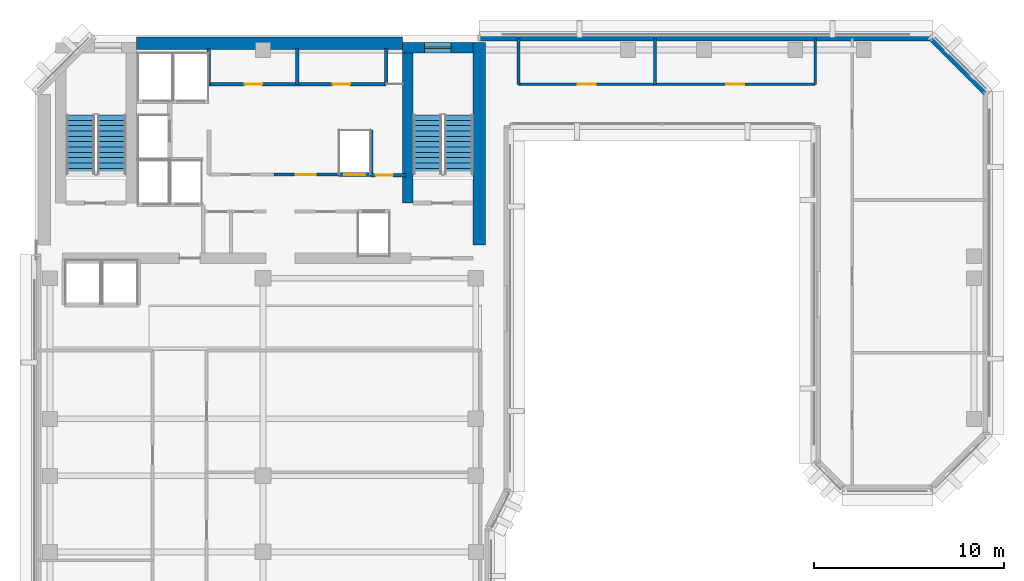
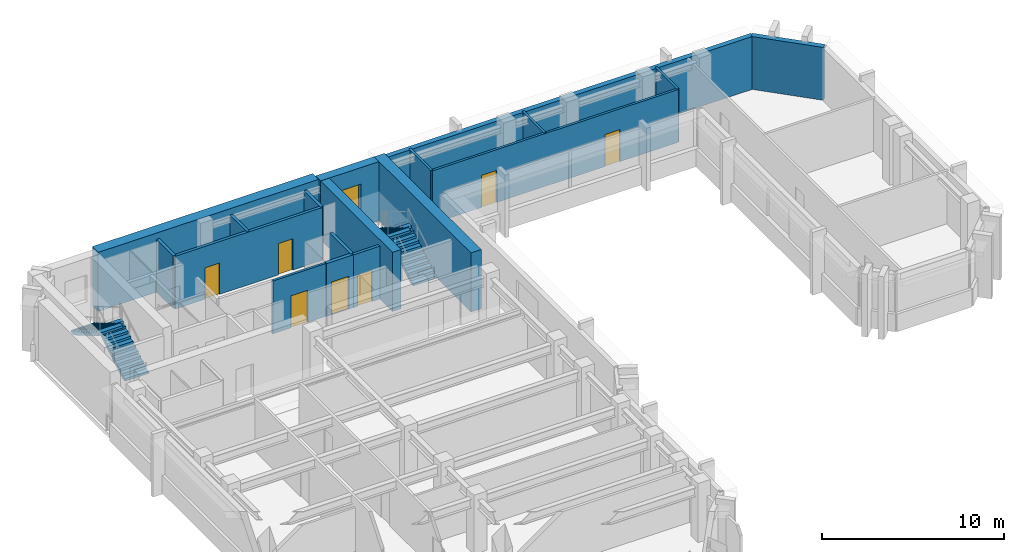
# One storey, part 7 of 11: 18 walls, 7 doors, 4 stair flights, 1 window, 8 openings, 2 elements without a shape of their own.
"""IFC4 building model written with IfcOpenShell, lengths in metres."""

from ifc_helpers import new_model, si_unit, direction, frame, frame_2d, origin, place, context, subcontext, project, spatial, polyline, rectangle, outline, extrude, material, layer, layer_set, type_object, element, fill, aggregate, save


model = new_model("IFC4")

# Units and contexts
model_context = context("Model", 3, precision=1e-05, world=origin(), true_north=direction((0.0, 1.0)))
body_context = subcontext(model_context, "Body", "Model", "MODEL_VIEW")
ifc_project = project(units=[si_unit("LENGTHUNIT", "METRE"), si_unit("AREAUNIT", "SQUARE_METRE"), si_unit("VOLUMEUNIT", "CUBIC_METRE"), si_unit("PLANEANGLEUNIT", "RADIAN"), si_unit("MASSUNIT", "GRAM", prefix="KILO")], contexts=[model_context])

# Site, building, storey
site_placement = place(None, origin())
site = spatial("IfcSite", under=ifc_project, at=site_placement, CompositionType="ELEMENT")
building_placement = place(site_placement, origin())
building = spatial("IfcBuilding", under=site, at=building_placement, Name="Kefirva Bronze Tower", CompositionType="ELEMENT")
storey_placement = place(building_placement, frame((0.0, 0.0, 247.5)))
storey = spatial("IfcBuildingStorey", under=building, at=storey_placement, Name="L60", CompositionType="ELEMENT", Elevation=247.5)

# Wall, opening, door
ifc_material_1 = material(Name="Gypsum acoustic partition")
ifc_layer_1 = layer(ifc_material_1, 0.14990234375, Name="Gypsum acoustic partition")
ifc_layer_set_1 = layer_set([ifc_layer_1], Name="Gypsum acoustic partition")
wall_type_1 = type_object("IfcWallType", Name="Executive Suite Partition 150mm", PredefinedType="PARTITIONING", material=ifc_layer_set_1)
wall_1_placement = place(storey_placement, frame((12.580078125, 38.64990234375, 0.0), z_axis=(0.0, 0.0, 1.0), x_axis=(1.0, 0.0, 0.0)))
wall_1 = element("IfcWall", 1, at=wall_1_placement, inside=storey, type_object=wall_type_1, Name="L60 Partition W-L60-RECMP2", PredefinedType="PARTITIONING", context=body_context, shape_type="SweptSolid", body=[
    extrude(rectangle(XDim=3.3798828125, YDim=0.14990234375, at=frame_2d((1.68994140625, 0.0))), origin(), (0.0, 0.0, 1.0), 3.5400390625),
])
opening_1_placement = place(wall_1_placement, frame((2.199951171875, 0.0, 0.0), z_axis=(0.0, 0.0, 1.0), x_axis=(-1.0, 0.0, 0.0)))
opening_1 = element("IfcOpeningElement", 2, at=opening_1_placement, cuts=wall_1, Name="Opening L60-D-RECMP2", PredefinedType="OPENING", context=body_context, shape_type="SweptSolid", body=[
    extrude(rectangle(XDim=1.050048828125, YDim=2.14990234375, at=frame_2d((0.52490234375, 1.074951171875))), frame((0.0, 0.0849609375, 0.0), z_axis=(0.0, -1.0, 0.0), x_axis=(1.0, 0.0, 0.0)), (0.0, 0.0, 1.0), 0.169921875),
])
ifc_material_2 = material(Name="Acoustic hardwood oak", Category="wood")
door_type_1 = type_object("IfcDoorType", Name="Executive & Boardroom Door 1050x2150", OperationType="NOTDEFINED", PredefinedType="DOOR", material=ifc_material_2)
door_1_placement = place(opening_1_placement, origin())
door_1 = element("IfcDoor", 3, at=door_1_placement, inside=storey, type_object=door_type_1, Name="Door L60-D-RECMP2", OperationType="SINGLE_SWING_LEFT", OverallHeight=2.14990234375, OverallWidth=1.050048828125, PredefinedType="DOOR", context=body_context, shape_type="SweptSolid", body=[
    extrude(rectangle(XDim=1.050048828125, YDim=2.14990234375, at=frame_2d((0.52490234375, 1.074951171875))), frame((0.0, 0.02490234375, 0.0), z_axis=(0.0, -1.0, 0.0), x_axis=(1.0, 0.0, 0.0)), (0.0, 0.0, 1.0), 0.050048828125),
])
fill(opening_1, door_1)

# Wall, openings, doors
wall_2_placement = place(storey_placement, frame((25.449951171875, 43.39990234375, 0.0), z_axis=(0.0, 0.0, 1.0), x_axis=(1.0, 0.0, 0.0)))
wall_2 = element("IfcWall", 4, at=wall_2_placement, inside=storey, type_object=wall_type_1, Name="L60 Partition W-L60-PBRGN", PredefinedType="PARTITIONING", context=body_context, shape_type="SweptSolid", body=[
    extrude(rectangle(XDim=15.60009765625, YDim=0.14990234375, at=frame_2d((7.800048828125, 0.0))), origin(), (0.0, 0.0, 1.0), 3.5400390625),
])
opening_2_placement = place(wall_2_placement, frame((3.113037109375, 0.0, 0.0)))
opening_2 = element("IfcOpeningElement", 5, at=opening_2_placement, cuts=wall_2, Name="Opening L60-D-PBN1", PredefinedType="OPENING", context=body_context, shape_type="SweptSolid", body=[
    extrude(rectangle(XDim=0.949951171875, YDim=2.14990234375, at=frame_2d((0.47509765625, 1.074951171875))), frame((0.0, 0.0849609375, 0.0), z_axis=(0.0, -1.0, 0.0), x_axis=(1.0, 0.0, 0.0)), (0.0, 0.0, 1.0), 0.169921875),
])
opening_3_placement = place(wall_2_placement, frame((10.9130859375, 0.0, 0.0)))
opening_3 = element("IfcOpeningElement", 6, at=opening_3_placement, cuts=wall_2, Name="Opening L60-D-PBN2", PredefinedType="OPENING", context=body_context, shape_type="SweptSolid", body=[
    extrude(rectangle(XDim=0.949951171875, YDim=2.14990234375, at=frame_2d((0.47509765625, 1.074951171875))), frame((0.0, 0.0849609375, 0.0), z_axis=(0.0, -1.0, 0.0), x_axis=(1.0, 0.0, 0.0)), (0.0, 0.0, 1.0), 0.169921875),
])
door_type_2 = type_object("IfcDoorType", Name="Office & Meeting Room Door 950x2150", OperationType="NOTDEFINED", PredefinedType="DOOR", material=ifc_material_2)
door_2_placement = place(opening_2_placement, origin())
door_2 = element("IfcDoor", 7, at=door_2_placement, inside=storey, type_object=door_type_2, Name="Door L60-D-PBN1", OperationType="SINGLE_SWING_LEFT", OverallHeight=2.14990234375, OverallWidth=0.949951171875, PredefinedType="DOOR", context=body_context, shape_type="SweptSolid", body=[
    extrude(rectangle(XDim=0.949951171875, YDim=2.14990234375, at=frame_2d((0.47509765625, 1.074951171875))), frame((0.0, 0.02490234375, 0.0), z_axis=(0.0, -1.0, 0.0), x_axis=(1.0, 0.0, 0.0)), (0.0, 0.0, 1.0), 0.050048828125),
])
fill(opening_2, door_2)
door_3_placement = place(opening_3_placement, origin())
door_3 = element("IfcDoor", 8, at=door_3_placement, inside=storey, type_object=door_type_2, Name="Door L60-D-PBN2", OperationType="SINGLE_SWING_RIGHT", OverallHeight=2.14990234375, OverallWidth=0.949951171875, PredefinedType="DOOR", context=body_context, shape_type="SweptSolid", body=[
    extrude(rectangle(XDim=0.949951171875, YDim=2.14990234375, at=frame_2d((0.47509765625, 1.074951171875))), frame((0.0, 0.02490234375, 0.0), z_axis=(0.0, -1.0, 0.0), x_axis=(1.0, 0.0, 0.0)), (0.0, 0.0, 1.0), 0.050048828125),
])
fill(opening_3, door_3)

# Walls
for number, where, z_axis, x_axis, name in (
    (9, (25.449951171875, 43.39990234375, 0.0), (0.0, 0.0, 1.0), (0.0, 1.0, 0.0), "L60 Partition W-L60-PBRGW"),
    (10, (41.050048828125, 43.39990234375, 0.0), (0.0, 0.0, 1.0), (0.0, 1.0, 0.0), "L60 Partition W-L60-PBRGE"),
    (11, (32.6259765625, 43.39990234375, 0.0), (0.0, 0.0, 1.0), (0.0, 1.0, 0.0), "L60 Partition W-L60-PBND1"),
):
    element("IfcWall", number, at=place(storey_placement, frame(where, z_axis=z_axis, x_axis=x_axis)), inside=storey, type_object=wall_type_1, Name=name, PredefinedType="PARTITIONING", context=body_context, shape_type="SweptSolid", body=[
        extrude(rectangle(XDim=2.41015625, YDim=0.14990234375, at=frame_2d((1.205078125, 0.0))), origin(), (0.0, 0.0, 1.0), 3.5400390625),
    ])
ifc_material_3 = material(Name="Gypsum fireboard shaftwall")
ifc_layer_2 = layer(ifc_material_3, 0.219970703125, Name="Gypsum fireboard shaftwall")
ifc_layer_set_2 = layer_set([ifc_layer_2], Name="Gypsum fireboard shaftwall")
wall_type_2 = type_object("IfcWallType", Name="Fire-Rated Shaft Enclosure Wall 220mm", PredefinedType="PARTITIONING", material=ifc_layer_set_2)
wall_3_placement = place(storey_placement, frame((17.679931640625, 38.64990234375, 0.0), z_axis=(0.0, 0.0, 1.0), x_axis=(0.0, 1.0, 0.0)))
element("IfcWall", 12, at=wall_3_placement, inside=storey, type_object=wall_type_2, Name="L60 Partition W-L60-HP2E", PredefinedType="PARTITIONING", context=body_context, shape_type="SweptSolid", body=[
    extrude(rectangle(XDim=2.35009765625, YDim=0.199951171875, at=frame_2d((1.175048828125, 0.0))), origin(), (0.0, 0.0, 1.0), 3.5400390625),
])

# Wall, opening, door
wall_4_placement = place(storey_placement, frame((15.97998046875, 38.64990234375, 0.0), z_axis=(0.0, 0.0, 1.0), x_axis=(1.0, 0.0, 0.0)))
wall_4 = element("IfcWall", 13, at=wall_4_placement, inside=storey, type_object=wall_type_2, Name="L60 Partition W-L60-HPN", PredefinedType="PARTITIONING", context=body_context, shape_type="SweptSolid", body=[
    extrude(rectangle(XDim=1.719970703125, YDim=0.219970703125, at=frame_2d((0.85986328125, 0.0))), origin(), (0.0, 0.0, 1.0), 3.5400390625),
])
opening_4_placement = place(wall_4_placement, frame((0.300048828125, 0.0, 0.0)))
opening_4 = element("IfcOpeningElement", 14, at=opening_4_placement, cuts=wall_4, Name="Opening L60-LD-HP2", PredefinedType="OPENING", context=body_context, shape_type="SweptSolid", body=[
    extrude(rectangle(XDim=1.10009765625, YDim=2.199951171875, at=frame_2d((0.550048828125, 1.10009765625))), frame((0.0, 0.1201171875, 0.0), z_axis=(0.0, -1.0, 0.0), x_axis=(1.0, 0.0, 0.0)), (0.0, 0.0, 1.0), 0.239990234375),
])
ifc_material_4 = material(Name="Stainless steel 316", Category="steel")
door_type_3 = type_object("IfcDoorType", Name="Passenger Lift Sliding Landing Door 1100x2200", OperationType="SLIDING_TO_LEFT", PredefinedType="DOOR", material=ifc_material_4)
door_4_placement = place(opening_4_placement, origin())
door_4 = element("IfcDoor", 15, at=door_4_placement, inside=storey, type_object=door_type_3, Name="Door L60-LD-HP2", OperationType="SLIDING_TO_LEFT", OverallHeight=2.199951171875, OverallWidth=1.10009765625, PredefinedType="DOOR", context=body_context, shape_type="SweptSolid", body=[
    extrude(rectangle(XDim=1.10009765625, YDim=2.199951171875, at=frame_2d((0.550048828125, 1.10009765625))), frame((0.0, 0.02490234375, 0.0), z_axis=(0.0, -1.0, 0.0), x_axis=(1.0, 0.0, 0.0)), (0.0, 0.0, 1.0), 0.050048828125),
])
fill(opening_4, door_4)

ifc_material_5 = material(Name="Gypsum fireboard barrier")
ifc_layer_3 = layer(ifc_material_5, 0.199951171875, Name="Gypsum fireboard barrier")
ifc_layer_set_3 = layer_set([ifc_layer_3], Name="Gypsum fireboard barrier")
wall_type_3 = type_object("IfcWallType", Name="Firefighting Lobby Barrier Wall 200mm", PredefinedType="PARTITIONING", material=ifc_layer_set_3)
wall_5_placement = place(storey_placement, frame((17.679931640625, 38.6201171875, 0.0), z_axis=(0.0, 0.0, 1.0), x_axis=(1.0, 0.0, 0.0)))
wall_5 = element("IfcWall", 16, at=wall_5_placement, inside=storey, type_object=wall_type_3, Name="L60 Partition W-L60-CPASS", PredefinedType="PARTITIONING", context=body_context, shape_type="SweptSolid", body=[
    extrude(rectangle(XDim=1.840087890625, YDim=0.179931640625, at=frame_2d((0.919921875, 0.0))), origin(), (0.0, 0.0, 1.0), 3.5400390625),
])
opening_5_placement = place(wall_5_placement, frame((0.239990234375, 0.0, 0.0)))
opening_5 = element("IfcOpeningElement", 17, at=opening_5_placement, cuts=wall_5, Name="Opening L60-D-CPAS", PredefinedType="OPENING", context=body_context, shape_type="SweptSolid", body=[
    extrude(rectangle(XDim=0.919921875, YDim=2.10009765625, at=frame_2d((0.4599609375, 1.050048828125))), frame((0.0, 0.10009765625, 0.0), z_axis=(0.0, -1.0, 0.0), x_axis=(1.0, 0.0, 0.0)), (0.0, 0.0, 1.0), 0.199951171875),
])
ifc_material_6 = material(Name="Moisture-resistant timber", Category="wood")
door_type_4 = type_object("IfcDoorType", Name="Accessible Sanitary & WC Door 920x2100", OperationType="NOTDEFINED", PredefinedType="DOOR", material=ifc_material_6)
door_5_placement = place(opening_5_placement, origin())
door_5 = element("IfcDoor", 18, at=door_5_placement, inside=storey, type_object=door_type_4, Name="Door L60-D-CPAS", OperationType="SINGLE_SWING_RIGHT", OverallHeight=2.10009765625, OverallWidth=0.919921875, PredefinedType="DOOR", context=body_context, shape_type="SweptSolid", body=[
    extrude(rectangle(XDim=0.919921875, YDim=2.10009765625, at=frame_2d((0.4599609375, 1.050048828125))), frame((0.0, 0.02490234375, 0.0), z_axis=(0.0, -1.0, 0.0), x_axis=(1.0, 0.0, 0.0)), (0.0, 0.0, 1.0), 0.050048828125),
])
fill(opening_5, door_5)

# Walls
ifc_material_7 = material(Name="Precast concrete C40/50", Category="concrete")
ifc_layer_4 = layer(ifc_material_7, 0.320068359375, Name="Precast concrete C40/50")
ifc_layer_set_4 = layer_set([ifc_layer_4], Name="Precast concrete C40/50")
wall_type_4 = type_object("IfcWallType", Name="Precast Insulated Exterior Wall 320mm", PredefinedType="SOLIDWALL", material=ifc_layer_set_4)
wall_6_placement = place(storey_placement, frame((50.048095703125, 42.92578125, 0.0), z_axis=(0.0, 0.0, 1.0), x_axis=(-0.707136318428, 0.707077242712, 0.0)))
element("IfcWall", 19, at=wall_6_placement, inside=storey, type_object=wall_type_4, Name="L60 Exterior Facade Wall 10", PredefinedType="SOLIDWALL", context=body_context, shape_type="SweptSolid", body=[
    extrude(rectangle(XDim=4.132568359375, YDim=0.320068359375, at=frame_2d((2.06640625, 0.0))), origin(), (0.0, 0.0, 1.0), 3.5400390625),
])
wall_7_placement = place(storey_placement, frame((47.14501953125, 45.840087890625, 0.0), z_axis=(0.0, 0.0, 1.0), x_axis=(-1.0, 0.0, 0.0)))
element("IfcWall", 20, at=wall_7_placement, inside=storey, type_object=wall_type_4, Name="L60 Exterior Facade Wall 11", PredefinedType="SOLIDWALL", context=body_context, shape_type="SweptSolid", body=[
    extrude(rectangle(XDim=23.739990234375, YDim=0.320068359375, at=frame_2d((11.8701171875, 0.0))), origin(), (0.0, 0.0, 1.0), 3.5400390625),
])

# Wall, opening, window
ifc_material_8 = material(Name="Concrete C50/60", Category="concrete")
ifc_layer_5 = layer(ifc_material_8, 0.550048828125, Name="Concrete C50/60")
ifc_layer_set_5 = layer_set([ifc_layer_5], Name="Concrete C50/60")
wall_type_5 = type_object("IfcWallType", Name="RC Rear Core Exterior Wall 550mm", PredefinedType="SHEAR", material=ifc_layer_set_5)
wall_8_placement = place(storey_placement, frame((19.35009765625, 45.320068359375, 0.0), z_axis=(0.0, 0.0, 1.0), x_axis=(1.0, 0.0, 0.0)))
wall_8 = element("IfcWall", 21, at=wall_8_placement, inside=storey, type_object=wall_type_5, Name="L60 Stair 2 North Shear Wall", PredefinedType="SHEAR", context=body_context, shape_type="SweptSolid", body=[
    extrude(rectangle(XDim=3.68994140625, YDim=0.550048828125, at=frame_2d((1.844970703125, 0.0))), origin(), (0.0, 0.0, 1.0), 3.9599609375),
])
opening_6_placement = place(wall_8_placement, frame((1.14990234375, 0.0, 1.050048828125)))
opening_6 = element("IfcOpeningElement", 22, at=opening_6_placement, cuts=wall_8, Name="Opening WN-03", PredefinedType="OPENING", context=body_context, shape_type="SweptSolid", body=[
    extrude(rectangle(XDim=1.39990234375, YDim=1.800048828125, at=frame_2d((0.699951171875, 0.89990234375))), frame((0.0, 0.28515625, 0.0), z_axis=(0.0, -1.0, 0.0), x_axis=(1.0, 0.0, 0.0)), (0.0, 0.0, 1.0), 0.570068359375),
])
ifc_material_9 = material(Name="Laminated low-E double glazing", Category="glass")
window_type = type_object("IfcWindowType", Name="Rear-Core Stair Daylight Window 1400x1800", PartitioningType="SINGLE_PANEL", PredefinedType="WINDOW", material=ifc_material_9)
window_placement = place(opening_6_placement, origin())
window = element("IfcWindow", 23, at=window_placement, inside=storey, type_object=window_type, Name="L60 Stair 2 Daylight Window", OverallHeight=1.800048828125, OverallWidth=1.39990234375, PartitioningType="SINGLE_PANEL", PredefinedType="WINDOW", context=body_context, shape_type="SweptSolid", body=[
    extrude(rectangle(XDim=1.39990234375, YDim=1.800048828125, at=frame_2d((0.699951171875, 0.89990234375))), frame((0.0, 0.030029296875, 0.0), z_axis=(0.0, -1.0, 0.0), x_axis=(1.0, 0.0, 0.0)), (0.0, 0.0, 1.0), 0.06005859375),
])
fill(opening_6, window)

# Walls
ifc_layer_6 = layer(ifc_material_8, 0.64990234375, Name="Concrete C50/60")
ifc_layer_set_6 = layer_set([ifc_layer_6], Name="Concrete C50/60")
wall_type_6 = type_object("IfcWallType", Name="RC Rear Core Exterior Wall 650mm", PredefinedType="SHEAR", material=ifc_layer_set_6)
wall_9_placement = place(storey_placement, frame((5.360107421875, 45.550048828125, 0.0), z_axis=(0.0, 0.0, 1.0), x_axis=(1.0, 0.0, 0.0)))
element("IfcWall", 24, at=wall_9_placement, inside=storey, type_object=wall_type_6, Name="L60 Rear Core North Shear Wall", PredefinedType="SHEAR", context=body_context, shape_type="SweptSolid", body=[
    extrude(rectangle(XDim=13.97998046875, YDim=0.64990234375, at=frame_2d((6.989990234375, 0.0))), origin(), (0.0, 0.0, 1.0), 3.9599609375),
])
ifc_layer_7 = layer(ifc_material_8, 0.550048828125, Name="Concrete C50/60")
ifc_layer_set_7 = layer_set([ifc_layer_7], Name="Concrete C50/60")
wall_type_7 = type_object("IfcWallType", Name="RC Rear Core Interior Wall 550mm", PredefinedType="SHEAR", material=ifc_layer_set_7)
wall_10_placement = place(storey_placement, frame((19.6201171875, 37.14990234375, 0.0), z_axis=(0.0, 0.0, 1.0), x_axis=(0.0, 1.0, 0.0)))
element("IfcWall", 25, at=wall_10_placement, inside=storey, type_object=wall_type_7, Name="L60 Stair 2 West Shear Wall", PredefinedType="SHEAR", context=body_context, shape_type="SweptSolid", body=[
    extrude(rectangle(XDim=7.89013671875, YDim=0.550048828125, at=frame_2d((3.945068359375, 0.0))), origin(), (0.0, 0.0, 1.0), 3.9599609375),
])
ifc_layer_8 = layer(ifc_material_8, 0.64990234375, Name="Concrete C50/60")
ifc_layer_set_8 = layer_set([ifc_layer_8], Name="Concrete C50/60")
wall_type_8 = type_object("IfcWallType", Name="RC Rear Core Interior Wall 650mm", PredefinedType="SHEAR", material=ifc_layer_set_8)
wall_11_placement = place(storey_placement, frame((23.375, 34.949951171875, 0.0), z_axis=(0.0, 0.0, 1.0), x_axis=(0.0, 1.0, 0.0)))
element("IfcWall", 26, at=wall_11_placement, inside=storey, type_object=wall_type_8, Name="L60 Rear Core East Shear Wall", PredefinedType="SHEAR", context=body_context, shape_type="SweptSolid", body=[
    extrude(rectangle(XDim=10.64013671875, YDim=0.64990234375, at=frame_2d((5.320068359375, 0.0))), origin(), (0.0, 0.0, 1.0), 3.9599609375),
])

# Wall, openings, doors
ifc_material_10 = material(Name="Moisture-resistant partition")
ifc_layer_9 = layer(ifc_material_10, 0.179931640625, Name="Moisture-resistant partition")
ifc_layer_set_9 = layer_set([ifc_layer_9], Name="Moisture-resistant partition")
wall_type_9 = type_object("IfcWallType", Name="Sanitary Plumbing Chase Wall 180mm", PredefinedType="PLUMBINGWALL", material=ifc_layer_set_9)
wall_12_placement = place(storey_placement, frame((9.14990234375, 43.39990234375, 0.0), z_axis=(0.0, 0.0, 1.0), x_axis=(1.0, 0.0, 0.0)))
wall_12 = element("IfcWall", 27, at=wall_12_placement, inside=storey, type_object=wall_type_9, Name="L60 Partition W-L60-SVCS", PredefinedType="PLUMBINGWALL", context=body_context, shape_type="SweptSolid", body=[
    extrude(rectangle(XDim=9.330078125, YDim=0.179931640625, at=frame_2d((4.6650390625, 0.0))), origin(), (0.0, 0.0, 1.0), 3.5400390625),
])
opening_7_placement = place(wall_12_placement, frame((1.8798828125, 0.0, 0.0)))
opening_7 = element("IfcOpeningElement", 28, at=opening_7_placement, cuts=wall_12, Name="Opening L60-D-CSVC1", PredefinedType="OPENING", context=body_context, shape_type="SweptSolid", body=[
    extrude(rectangle(XDim=0.919921875, YDim=2.10009765625, at=frame_2d((0.4599609375, 1.050048828125))), frame((0.0, 0.10009765625, 0.0), z_axis=(0.0, -1.0, 0.0), x_axis=(1.0, 0.0, 0.0)), (0.0, 0.0, 1.0), 0.199951171875),
])
opening_8_placement = place(wall_12_placement, frame((6.514892578125, 0.0, 0.0)))
opening_8 = element("IfcOpeningElement", 29, at=opening_8_placement, cuts=wall_12, Name="Opening L60-D-CSVC2", PredefinedType="OPENING", context=body_context, shape_type="SweptSolid", body=[
    extrude(rectangle(XDim=0.919921875, YDim=2.10009765625, at=frame_2d((0.4599609375, 1.050048828125))), frame((0.0, 0.10009765625, 0.0), z_axis=(0.0, -1.0, 0.0), x_axis=(1.0, 0.0, 0.0)), (0.0, 0.0, 1.0), 0.199951171875),
])
door_6_placement = place(opening_7_placement, origin())
door_6 = element("IfcDoor", 30, at=door_6_placement, inside=storey, type_object=door_type_4, Name="Door L60-D-CSVC1", OperationType="SINGLE_SWING_RIGHT", OverallHeight=2.10009765625, OverallWidth=0.919921875, PredefinedType="DOOR", context=body_context, shape_type="SweptSolid", body=[
    extrude(rectangle(XDim=0.919921875, YDim=2.10009765625, at=frame_2d((0.4599609375, 1.050048828125))), frame((0.0, 0.02490234375, 0.0), z_axis=(0.0, -1.0, 0.0), x_axis=(1.0, 0.0, 0.0)), (0.0, 0.0, 1.0), 0.050048828125),
])
fill(opening_7, door_6)
door_7_placement = place(opening_8_placement, origin())
door_7 = element("IfcDoor", 31, at=door_7_placement, inside=storey, type_object=door_type_4, Name="Door L60-D-CSVC2", OperationType="SINGLE_SWING_LEFT", OverallHeight=2.10009765625, OverallWidth=0.919921875, PredefinedType="DOOR", context=body_context, shape_type="SweptSolid", body=[
    extrude(rectangle(XDim=0.919921875, YDim=2.10009765625, at=frame_2d((0.4599609375, 1.050048828125))), frame((0.0, 0.02490234375, 0.0), z_axis=(0.0, -1.0, 0.0), x_axis=(1.0, 0.0, 0.0)), (0.0, 0.0, 1.0), 0.050048828125),
])
fill(opening_8, door_7)

# Walls
for number, where, z_axis, x_axis, name in (
    (32, (9.14990234375, 43.39990234375, 0.0), (0.0, 0.0, 1.0), (0.0, 1.0, 0.0), "L60 Partition W-L60-SVCW"),
    (33, (18.47998046875, 43.39990234375, 0.0), (0.0, 0.0, 1.0), (0.0, 1.0, 0.0), "L60 Partition W-L60-SVCE"),
    (34, (13.800048828125, 43.39990234375, 0.0), (0.0, 0.0, 1.0), (0.0, 1.0, 0.0), "L60 Partition W-L60-CSVD-1"),
):
    element("IfcWall", number, at=place(storey_placement, frame(where, z_axis=z_axis, x_axis=x_axis)), inside=storey, type_object=wall_type_9, Name=name, PredefinedType="PLUMBINGWALL", context=body_context, shape_type="SweptSolid", body=[
        extrude(rectangle(XDim=1.880126953125, YDim=0.179931640625, at=frame_2d((0.93994140625, 0.0))), origin(), (0.0, 0.0, 1.0), 3.5400390625),
    ])

# Stair, stair flights
ifc_material_11 = material(Name="Concrete C40/50", Category="concrete")
stair_type = type_object("IfcStairType", Name="RC Dogleg Protected Stair 24R", PredefinedType="HALF_TURN_STAIR", material=ifc_material_11)
stair_1_placement = place(storey_placement, origin())
stair_1 = element("IfcStair", 35, at=stair_1_placement, inside=storey, type_object=stair_type, Name="L60 Protected Exit Stair 1", PredefinedType="HALF_TURN_STAIR")
stair_flight_type = type_object("IfcStairFlightType", Name="RC Straight Stair Flight 24R", PredefinedType="STRAIGHT", material=ifc_material_11)
stair_flight_1_placement = place(storey_placement, frame((4.050048828125, 38.699951171875, 0.0), z_axis=(0.0, 0.0, 1.0), x_axis=(0.0, 1.0, 0.0)))
stair_flight_1 = element("IfcStairFlight", 36, at=stair_flight_1_placement, type_object=stair_flight_type, Name="ST-1 flight 1", NumberOfRisers=12, NumberOfTreads=11, PredefinedType="STRAIGHT", RiserHeight=0.165, TreadLength=0.28, context=body_context, shape_type="SweptSolid", body=[
    extrude(outline(polyline([(0.0, 0.0), (0.0, 0.1650390625), (0.280029296875, 0.1650390625), (0.280029296875, 0.330078125), (0.56005859375, 0.330078125), (0.56005859375, 0.4951171875), (0.840087890625, 0.4951171875), (0.840087890625, 0.659912109375), (1.1201171875, 0.659912109375), (1.1201171875, 0.824951171875), (1.39990234375, 0.824951171875), (1.39990234375, 0.989990234375), (1.679931640625, 0.989990234375), (1.679931640625, 1.155029296875), (1.9599609375, 1.155029296875), (1.9599609375, 1.320068359375), (2.239990234375, 1.320068359375), (2.239990234375, 1.485107421875), (2.52001953125, 1.485107421875), (2.52001953125, 1.64990234375), (2.800048828125, 1.64990234375), (2.800048828125, 1.81494140625), (3.080078125, 1.81494140625), (3.080078125, 1.97998046875), (3.080078125, 1.64111328125), (0.295166015625, 0.0), (0.0, 0.0)])), frame((0.0, 0.75, 0.0), z_axis=(0.0, -1.0, 0.0), x_axis=(1.0, 0.0, 0.0)), (0.0, 0.0, 1.0), 1.5),
])
stair_flight_2_placement = place(storey_placement, frame((2.39990234375, 41.780029296875, 1.97998046875), z_axis=(0.0, 0.0, 1.0), x_axis=(0.0, -1.0, 0.0)))
stair_flight_2 = element("IfcStairFlight", 37, at=stair_flight_2_placement, type_object=stair_flight_type, Name="ST-1 flight 2", NumberOfRisers=12, NumberOfTreads=11, PredefinedType="STRAIGHT", RiserHeight=0.165, TreadLength=0.28, context=body_context, shape_type="SweptSolid", body=[
    extrude(outline(polyline([(0.0, 0.0), (0.0, 0.1650390625), (0.280029296875, 0.1650390625), (0.280029296875, 0.330078125), (0.56005859375, 0.330078125), (0.56005859375, 0.4951171875), (0.840087890625, 0.4951171875), (0.840087890625, 0.659912109375), (1.1201171875, 0.659912109375), (1.1201171875, 0.824951171875), (1.39990234375, 0.824951171875), (1.39990234375, 0.989990234375), (1.679931640625, 0.989990234375), (1.679931640625, 1.155029296875), (1.9599609375, 1.155029296875), (1.9599609375, 1.320068359375), (2.239990234375, 1.320068359375), (2.239990234375, 1.485107421875), (2.52001953125, 1.485107421875), (2.52001953125, 1.64990234375), (2.800048828125, 1.64990234375), (2.800048828125, 1.81494140625), (3.080078125, 1.81494140625), (3.080078125, 1.97998046875), (3.080078125, 1.64111328125), (0.295166015625, 0.0), (0.0, 0.0)])), frame((0.0, 0.75, 0.0), z_axis=(0.0, -1.0, 0.0), x_axis=(1.0, 0.0, 0.0)), (0.0, 0.0, 1.0), 1.5),
])
aggregate(stair_1, [stair_flight_1, stair_flight_2])

stair_2_placement = place(storey_placement, origin())
stair_2 = element("IfcStair", 38, at=stair_2_placement, inside=storey, type_object=stair_type, Name="L60 Protected Exit Stair 2", PredefinedType="HALF_TURN_STAIR")
stair_flight_3_placement = place(storey_placement, frame((22.300048828125, 38.699951171875, 0.0), z_axis=(0.0, 0.0, 1.0), x_axis=(0.0, 1.0, 0.0)))
stair_flight_3 = element("IfcStairFlight", 39, at=stair_flight_3_placement, type_object=stair_flight_type, Name="ST-2 flight 1", NumberOfRisers=12, NumberOfTreads=11, PredefinedType="STRAIGHT", RiserHeight=0.165, TreadLength=0.28, context=body_context, shape_type="SweptSolid", body=[
    extrude(outline(polyline([(0.0, 0.0), (0.0, 0.1650390625), (0.280029296875, 0.1650390625), (0.280029296875, 0.330078125), (0.56005859375, 0.330078125), (0.56005859375, 0.4951171875), (0.840087890625, 0.4951171875), (0.840087890625, 0.659912109375), (1.1201171875, 0.659912109375), (1.1201171875, 0.824951171875), (1.39990234375, 0.824951171875), (1.39990234375, 0.989990234375), (1.679931640625, 0.989990234375), (1.679931640625, 1.155029296875), (1.9599609375, 1.155029296875), (1.9599609375, 1.320068359375), (2.239990234375, 1.320068359375), (2.239990234375, 1.485107421875), (2.52001953125, 1.485107421875), (2.52001953125, 1.64990234375), (2.800048828125, 1.64990234375), (2.800048828125, 1.81494140625), (3.080078125, 1.81494140625), (3.080078125, 1.97998046875), (3.080078125, 1.64111328125), (0.295166015625, 0.0), (0.0, 0.0)])), frame((0.0, 0.75, 0.0), z_axis=(0.0, -1.0, 0.0), x_axis=(1.0, 0.0, 0.0)), (0.0, 0.0, 1.0), 1.5),
])
stair_flight_4_placement = place(storey_placement, frame((20.64990234375, 41.780029296875, 1.97998046875), z_axis=(0.0, 0.0, 1.0), x_axis=(0.0, -1.0, 0.0)))
stair_flight_4 = element("IfcStairFlight", 40, at=stair_flight_4_placement, type_object=stair_flight_type, Name="ST-2 flight 2", NumberOfRisers=12, NumberOfTreads=11, PredefinedType="STRAIGHT", RiserHeight=0.165, TreadLength=0.28, context=body_context, shape_type="SweptSolid", body=[
    extrude(outline(polyline([(0.0, 0.0), (0.0, 0.1650390625), (0.280029296875, 0.1650390625), (0.280029296875, 0.330078125), (0.56005859375, 0.330078125), (0.56005859375, 0.4951171875), (0.840087890625, 0.4951171875), (0.840087890625, 0.659912109375), (1.1201171875, 0.659912109375), (1.1201171875, 0.824951171875), (1.39990234375, 0.824951171875), (1.39990234375, 0.989990234375), (1.679931640625, 0.989990234375), (1.679931640625, 1.155029296875), (1.9599609375, 1.155029296875), (1.9599609375, 1.320068359375), (2.239990234375, 1.320068359375), (2.239990234375, 1.485107421875), (2.52001953125, 1.485107421875), (2.52001953125, 1.64990234375), (2.800048828125, 1.64990234375), (2.800048828125, 1.81494140625), (3.080078125, 1.81494140625), (3.080078125, 1.97998046875), (3.080078125, 1.64111328125), (0.295166015625, 0.0), (0.0, 0.0)])), frame((0.0, 0.75, 0.0), z_axis=(0.0, -1.0, 0.0), x_axis=(1.0, 0.0, 0.0)), (0.0, 0.0, 1.0), 1.5),
])
aggregate(stair_2, [stair_flight_3, stair_flight_4])

save(model, "model.ifc")
